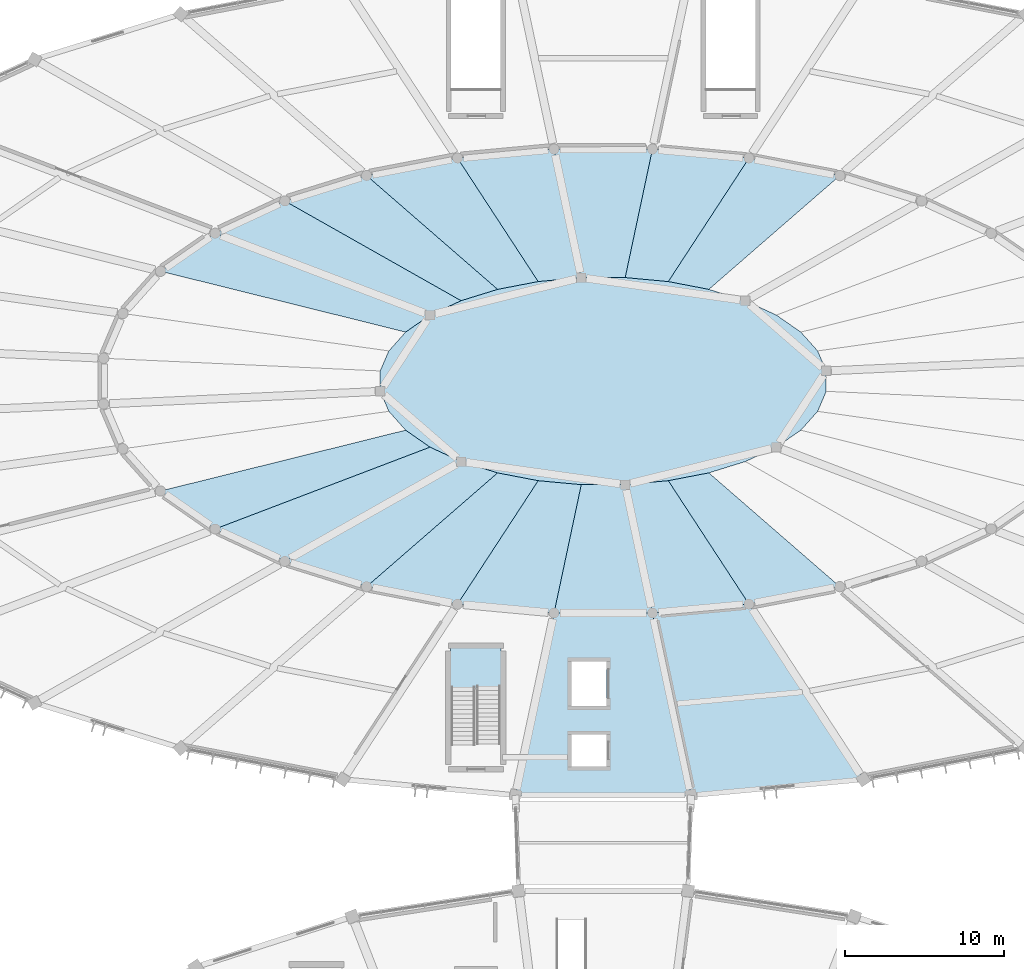
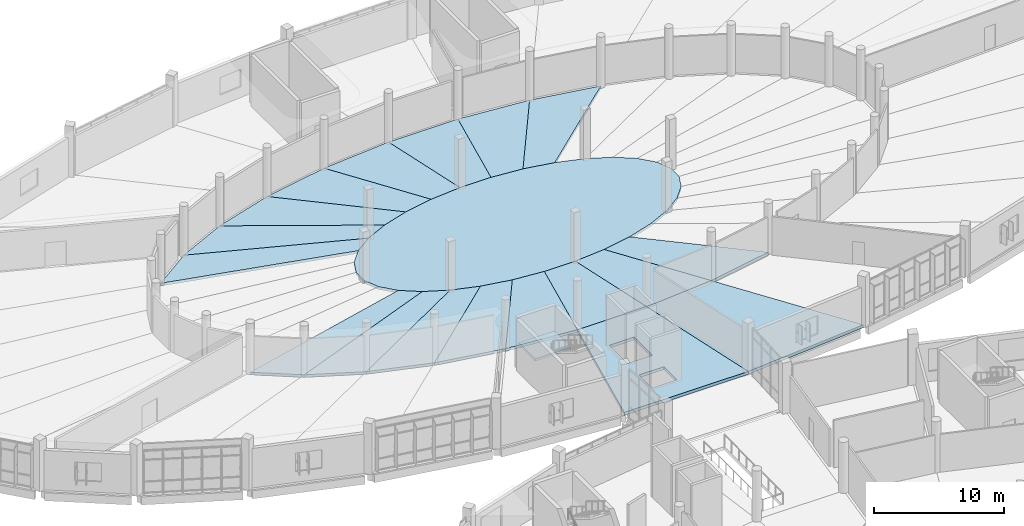
# One storey, part 95 of 179: 20 slabs, 1 element without a shape of its own.
"""IFC4 building model written with IfcOpenShell, lengths in metres."""

from ifc_helpers import new_model, si_unit, direction, frame, origin, place, context, subcontext, project, spatial, polyline, outline, extrude, material, layer, layer_set, type_object, element, aggregate, save


model = new_model("IFC4")

# Units and contexts
model_context = context("Model", 3, precision=1e-05, world=origin(), true_north=direction((0.0, 1.0)))
body_context = subcontext(model_context, "Body", "Model", "MODEL_VIEW")
ifc_project = project(units=[si_unit("LENGTHUNIT", "METRE"), si_unit("AREAUNIT", "SQUARE_METRE"), si_unit("VOLUMEUNIT", "CUBIC_METRE"), si_unit("PLANEANGLEUNIT", "RADIAN"), si_unit("MASSUNIT", "GRAM", prefix="KILO")], contexts=[model_context])

# Site, building, storey
site_placement = place(None, origin())
site = spatial("IfcSite", under=ifc_project, at=site_placement, CompositionType="ELEMENT")
building_placement = place(site_placement, origin())
building = spatial("IfcBuilding", under=site, at=building_placement, Name="Corvandel Quay Wholesale Market", CompositionType="ELEMENT")
storey_placement = place(building_placement, frame((0.0, 0.0, 6.0)))
storey = spatial("IfcBuildingStorey", under=building, at=storey_placement, Name="L01", CompositionType="ELEMENT", Elevation=6.0)

# Slabs
ifc_material = material(Name="Concrete C40/50", Category="concrete")
ifc_layer_1 = layer(ifc_material, 0.260009765625)
ifc_layer_set_1 = layer_set([ifc_layer_1], Name="Concrete C40/50")
slab_type_1 = type_object("IfcSlabType", Name="Composite Market Canteen Floor Slab 260", PredefinedType="FLOOR", material=ifc_layer_set_1)
slab_1_placement = place(storey_placement, frame((0.0, 0.0, -0.260009765625)))
element("IfcSlab", 1, at=slab_1_placement, inside=storey, type_object=slab_type_1, Name="Slab SLB-0208", PredefinedType="FLOOR", context=body_context, shape_type="SweptSolid", body=[
    extrude(outline(polyline([(128.0, 116.639892578125), (127.4619140625, 117.89599609375), (126.406982421875, 119.0791015625), (124.875, 120.14404296875), (122.924072265625, 121.049072265625), (120.631103515625, 121.760009765625), (118.083984375, 122.25), (115.37890625, 122.5), (112.62109375, 122.5), (109.916015625, 122.25), (107.368896484375, 121.760009765625), (105.075927734375, 121.049072265625), (103.125, 120.14404296875), (101.593017578125, 119.0791015625), (100.5380859375, 117.89599609375), (100.0, 116.639892578125), (100.0, 115.360107421875), (100.5380859375, 114.10400390625), (101.593017578125, 112.9208984375), (103.125, 111.85595703125), (105.075927734375, 110.950927734375), (107.368896484375, 110.239990234375), (109.916015625, 109.75), (112.62109375, 109.5), (115.37890625, 109.5), (118.083984375, 109.75), (120.631103515625, 110.239990234375), (122.924072265625, 110.950927734375), (124.875, 111.85595703125), (126.406982421875, 112.9208984375), (127.4619140625, 114.10400390625), (128.0, 115.360107421875), (128.0, 116.639892578125)])), origin(), (0.0, 0.0, 1.0), 0.260009765625),
])
slab_2_placement = place(storey_placement, frame((0.0, 0.0, -0.260009765625)))
element("IfcSlab", 2, at=slab_2_placement, inside=storey, type_object=slab_type_1, Name="Slab SLB-0233", PredefinedType="FLOOR", context=body_context, shape_type="SweptSolid", body=[
    extrude(outline(polyline([(120.631103515625, 121.760009765625), (118.083984375, 122.25), (123.14697265625, 130.0), (128.85498046875, 128.903076171875), (120.631103515625, 121.760009765625)])), origin(), (0.0, 0.0, 1.0), 0.260009765625),
])
slab_3_placement = place(storey_placement, frame((0.0, 0.0, -0.260009765625)))
element("IfcSlab", 3, at=slab_3_placement, inside=storey, type_object=slab_type_1, Name="Slab SLB-0237", PredefinedType="FLOOR", context=body_context, shape_type="SweptSolid", body=[
    extrude(outline(polyline([(118.083984375, 122.25), (115.37890625, 122.5), (117.089111328125, 130.56005859375), (123.14697265625, 130.0), (118.083984375, 122.25)])), origin(), (0.0, 0.0, 1.0), 0.260009765625),
])
slab_4_placement = place(storey_placement, frame((0.0, 0.0, -0.260009765625)))
element("IfcSlab", 4, at=slab_4_placement, inside=storey, type_object=slab_type_1, Name="Slab SLB-0243", PredefinedType="FLOOR", context=body_context, shape_type="SweptSolid", body=[
    extrude(outline(polyline([(115.37890625, 122.5), (112.62109375, 122.5), (110.910888671875, 130.56005859375), (117.089111328125, 130.56005859375), (115.37890625, 122.5)])), origin(), (0.0, 0.0, 1.0), 0.260009765625),
])
slab_5_placement = place(storey_placement, frame((0.0, 0.0, -0.260009765625)))
element("IfcSlab", 5, at=slab_5_placement, inside=storey, type_object=slab_type_1, Name="Slab SLB-0249", PredefinedType="FLOOR", context=body_context, shape_type="SweptSolid", body=[
    extrude(outline(polyline([(112.62109375, 122.5), (109.916015625, 122.25), (104.85302734375, 130.0), (110.910888671875, 130.56005859375), (112.62109375, 122.5)])), origin(), (0.0, 0.0, 1.0), 0.260009765625),
])
slab_6_placement = place(storey_placement, frame((0.0, 0.0, -0.260009765625)))
element("IfcSlab", 6, at=slab_6_placement, inside=storey, type_object=slab_type_1, Name="Slab SLB-0255", PredefinedType="FLOOR", context=body_context, shape_type="SweptSolid", body=[
    extrude(outline(polyline([(109.916015625, 122.25), (107.368896484375, 121.760009765625), (99.14501953125, 128.903076171875), (104.85302734375, 130.0), (109.916015625, 122.25)])), origin(), (0.0, 0.0, 1.0), 0.260009765625),
])
slab_7_placement = place(storey_placement, frame((0.0, 0.0, -0.260009765625)))
element("IfcSlab", 7, at=slab_7_placement, inside=storey, type_object=slab_type_1, Name="Slab SLB-0261", PredefinedType="FLOOR", context=body_context, shape_type="SweptSolid", body=[
    extrude(outline(polyline([(107.368896484375, 121.760009765625), (105.075927734375, 121.049072265625), (94.009033203125, 127.30908203125), (99.14501953125, 128.903076171875), (107.368896484375, 121.760009765625)])), origin(), (0.0, 0.0, 1.0), 0.260009765625),
])
slab_8_placement = place(storey_placement, frame((0.0, 0.0, -0.260009765625)))
element("IfcSlab", 8, at=slab_8_placement, inside=storey, type_object=slab_type_1, Name="Slab SLB-0267", PredefinedType="FLOOR", context=body_context, shape_type="SweptSolid", body=[
    extrude(outline(polyline([(105.075927734375, 121.049072265625), (103.125, 120.14404296875), (89.64111328125, 125.281005859375), (94.009033203125, 127.30908203125), (105.075927734375, 121.049072265625)])), origin(), (0.0, 0.0, 1.0), 0.260009765625),
])
slab_9_placement = place(storey_placement, frame((0.0, 0.0, -0.260009765625)))
element("IfcSlab", 9, at=slab_9_placement, inside=storey, type_object=slab_type_1, Name="Slab SLB-0273", PredefinedType="FLOOR", context=body_context, shape_type="SweptSolid", body=[
    extrude(outline(polyline([(103.125, 120.14404296875), (101.593017578125, 119.0791015625), (86.208984375, 122.89697265625), (89.64111328125, 125.281005859375), (103.125, 120.14404296875)])), origin(), (0.0, 0.0, 1.0), 0.260009765625),
])
slab_10_placement = place(storey_placement, frame((0.0, 0.0, -0.260009765625)))
element("IfcSlab", 10, at=slab_10_placement, inside=storey, type_object=slab_type_1, Name="Slab SLB-0309", PredefinedType="FLOOR", context=body_context, shape_type="SweptSolid", body=[
    extrude(outline(polyline([(101.593017578125, 112.9208984375), (103.125, 111.85595703125), (89.64111328125, 106.718994140625), (86.208984375, 109.10302734375), (101.593017578125, 112.9208984375)])), origin(), (0.0, 0.0, 1.0), 0.260009765625),
])
slab_11_placement = place(storey_placement, frame((0.0, 0.0, -0.260009765625)))
element("IfcSlab", 11, at=slab_11_placement, inside=storey, type_object=slab_type_1, Name="Slab SLB-0315", PredefinedType="FLOOR", context=body_context, shape_type="SweptSolid", body=[
    extrude(outline(polyline([(103.125, 111.85595703125), (105.075927734375, 110.950927734375), (94.009033203125, 104.69091796875), (89.64111328125, 106.718994140625), (103.125, 111.85595703125)])), origin(), (0.0, 0.0, 1.0), 0.260009765625),
])
slab_12_placement = place(storey_placement, frame((0.0, 0.0, -0.260009765625)))
element("IfcSlab", 12, at=slab_12_placement, inside=storey, type_object=slab_type_1, Name="Slab SLB-0321", PredefinedType="FLOOR", context=body_context, shape_type="SweptSolid", body=[
    extrude(outline(polyline([(105.075927734375, 110.950927734375), (107.368896484375, 110.239990234375), (99.14501953125, 103.096923828125), (94.009033203125, 104.69091796875), (105.075927734375, 110.950927734375)])), origin(), (0.0, 0.0, 1.0), 0.260009765625),
])
slab_13_placement = place(storey_placement, frame((0.0, 0.0, -0.260009765625)))
element("IfcSlab", 13, at=slab_13_placement, inside=storey, type_object=slab_type_1, Name="Slab SLB-0327", PredefinedType="FLOOR", context=body_context, shape_type="SweptSolid", body=[
    extrude(outline(polyline([(107.368896484375, 110.239990234375), (109.916015625, 109.75), (104.85302734375, 102.0), (99.14501953125, 103.096923828125), (107.368896484375, 110.239990234375)])), origin(), (0.0, 0.0, 1.0), 0.260009765625),
])
slab_14_placement = place(storey_placement, frame((0.0, 0.0, -0.260009765625)))
element("IfcSlab", 14, at=slab_14_placement, inside=storey, type_object=slab_type_1, Name="Slab SLB-0333", PredefinedType="FLOOR", context=body_context, shape_type="SweptSolid", body=[
    extrude(outline(polyline([(109.916015625, 109.75), (112.62109375, 109.5), (110.910888671875, 101.43994140625), (104.85302734375, 102.0), (109.916015625, 109.75)])), origin(), (0.0, 0.0, 1.0), 0.260009765625),
])
slab_15_placement = place(storey_placement, frame((0.0, 0.0, -0.260009765625)))
element("IfcSlab", 15, at=slab_15_placement, inside=storey, type_object=slab_type_1, Name="Slab SLB-0339", PredefinedType="FLOOR", context=body_context, shape_type="SweptSolid", body=[
    extrude(outline(polyline([(112.62109375, 109.5), (115.37890625, 109.5), (117.089111328125, 101.43994140625), (110.910888671875, 101.43994140625), (112.62109375, 109.5)])), origin(), (0.0, 0.0, 1.0), 0.260009765625),
])
slab_16_placement = place(storey_placement, frame((0.0, 0.0, -0.260009765625)))
element("IfcSlab", 16, at=slab_16_placement, inside=storey, type_object=slab_type_1, Name="Slab SLB-0345", PredefinedType="FLOOR", context=body_context, shape_type="SweptSolid", body=[
    extrude(outline(polyline([(115.37890625, 109.5), (118.083984375, 109.75), (123.14697265625, 102.0), (117.089111328125, 101.43994140625), (115.37890625, 109.5)])), origin(), (0.0, 0.0, 1.0), 0.260009765625),
])
slab_17_placement = place(storey_placement, frame((0.0, 0.0, -0.260009765625)))
element("IfcSlab", 17, at=slab_17_placement, inside=storey, type_object=slab_type_1, Name="Slab SLB-0351", PredefinedType="FLOOR", context=body_context, shape_type="SweptSolid", body=[
    extrude(outline(polyline([(118.083984375, 109.75), (120.631103515625, 110.239990234375), (128.85498046875, 103.096923828125), (123.14697265625, 102.0), (118.083984375, 109.75)])), origin(), (0.0, 0.0, 1.0), 0.260009765625),
])
ifc_layer_2 = layer(ifc_material, 0.280029296875)
ifc_layer_set_2 = layer_set([ifc_layer_2], Name="Concrete C40/50")
slab_type_2 = type_object("IfcSlabType", Name="Composite Sorting Gallery Floor Slab 280", PredefinedType="FLOOR", material=ifc_layer_set_2)
slab_18_placement = place(storey_placement, frame((0.0, 0.0, -0.280029296875)))
element("IfcSlab", 18, at=slab_18_placement, inside=storey, type_object=slab_type_2, Name="Slab SLB-0338", PredefinedType="FLOOR", context=body_context, shape_type="SweptSolid", body=[
    extrude(outline(polyline([(110.910888671875, 101.43994140625), (117.089111328125, 101.43994140625), (119.51611328125, 90.0), (108.48388671875, 90.0), (110.910888671875, 101.43994140625)]), holes=[polyline([(114.199951171875, 91.800048828125), (114.199951171875, 93.800048828125), (112.0, 93.800048828125), (112.0, 91.800048828125), (114.199951171875, 91.800048828125)]), polyline([(112.0, 95.60009765625), (114.199951171875, 95.60009765625), (114.199951171875, 98.39990234375), (112.0, 98.39990234375), (112.0, 95.60009765625)])]), origin(), (0.0, 0.0, 1.0), 0.280029296875),
])
slab_19_placement = place(storey_placement, frame((0.0, 0.0, -0.280029296875)))
element("IfcSlab", 19, at=slab_19_placement, inside=storey, type_object=slab_type_2, Name="Slab SLB-0344", PredefinedType="FLOOR", context=body_context, shape_type="SweptSolid", body=[
    extrude(outline(polyline([(117.089111328125, 101.43994140625), (123.14697265625, 102.0), (130.3349609375, 90.9990234375), (119.51611328125, 90.0), (117.089111328125, 101.43994140625)])), origin(), (0.0, 0.0, 1.0), 0.280029296875),
])

# Stair, slab
stair_type = type_object("IfcStairType", Name="Exit Stair Two-Return L01-L02 ST02", PredefinedType="USERDEFINED", material=ifc_material)
stair_placement = place(storey_placement, origin())
stair = element("IfcStair", 20, at=stair_placement, inside=storey, type_object=stair_type, Name="Exit Stair STR-010", ObjectType="TWO_RETURN_STAIR", PredefinedType="USERDEFINED")
ifc_layer_3 = layer(ifc_material, 0.219970703125)
ifc_layer_set_3 = layer_set([ifc_layer_3], Name="Concrete C40/50")
slab_type_3 = type_object("IfcSlabType", Name="Precast Stair Landing LND02 220", PredefinedType="LANDING", material=ifc_layer_set_3)
slab_20_placement = place(storey_placement, frame((0.0, 0.0, 2.179931640625)))
slab_20 = element("IfcSlab", 21, at=slab_20_placement, type_object=slab_type_3, Name="Stair Landing STR-010-LND", PredefinedType="LANDING", context=body_context, shape_type="SweptSolid", body=[
    extrude(outline(polyline([(104.409912109375, 96.68994140625), (107.590087890625, 96.68994140625), (107.590087890625, 99.239990234375), (104.409912109375, 99.239990234375), (104.409912109375, 96.68994140625)])), origin(), (0.0, 0.0, 1.0), 0.219970703125),
])
aggregate(stair, [slab_20])

save(model, "model.ifc")
